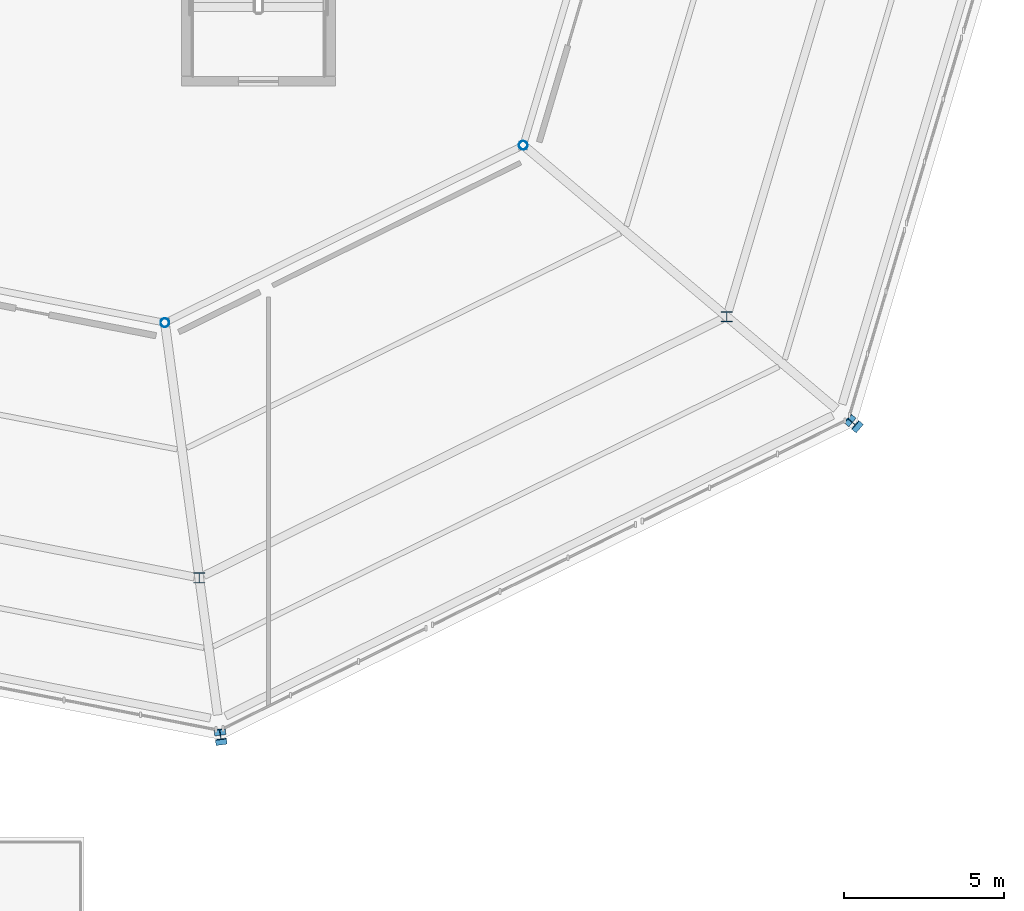
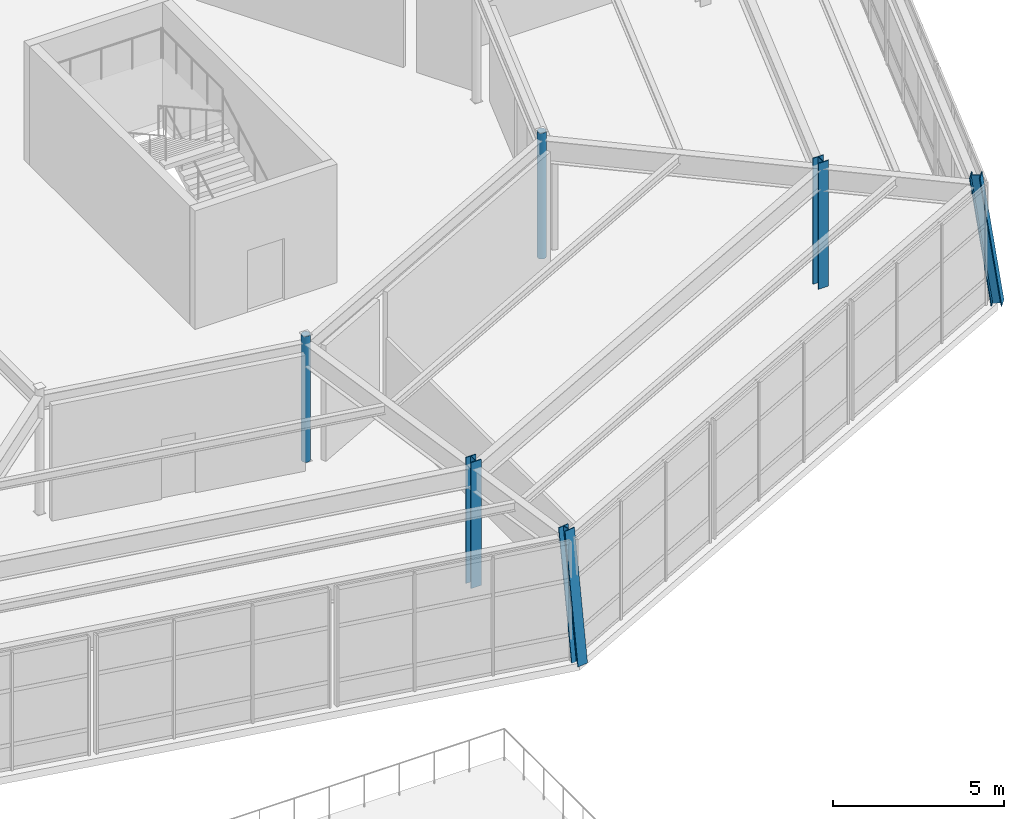
# One storey, part 15 of 69: 6 columns.
"""IFC4 building model written with IfcOpenShell, lengths in metres."""

from ifc_helpers import new_model, si_unit, direction, frame, origin, origin_2d, place, context, subcontext, project, spatial, hollow_circle, i_section, extrude, material, material_profile, profile_set, type_object, element, save


model = new_model("IFC4")

# Units and contexts
model_context = context("Model", 3, precision=1e-05, world=origin(), true_north=direction((0.0, 1.0)))
body_context = subcontext(model_context, "Body", "Model", "MODEL_VIEW")
ifc_project = project(units=[si_unit("LENGTHUNIT", "METRE"), si_unit("AREAUNIT", "SQUARE_METRE"), si_unit("VOLUMEUNIT", "CUBIC_METRE"), si_unit("PLANEANGLEUNIT", "RADIAN"), si_unit("MASSUNIT", "GRAM", prefix="KILO")], contexts=[model_context])

# Site, building, storey
site_placement = place(None, origin())
site = spatial("IfcSite", under=ifc_project, at=site_placement, CompositionType="ELEMENT")
building_placement = place(site_placement, origin())
building = spatial("IfcBuilding", under=site, at=building_placement, Name="Sarnbrook Museum", CompositionType="ELEMENT")
storey_placement = place(building_placement, frame((0.0, 0.0, 14.60009765625)))
storey = spatial("IfcBuildingStorey", under=building, at=storey_placement, Name="L03", CompositionType="ELEMENT", Elevation=14.60009765625)

# Columns
ifc_material_1 = material(Name="Structural Steel Hollow Section Grade C350L0 (AS/NZS 1163, fy = 350 MPa)", Category="steel")
ifc_material_profile_1 = material_profile(ifc_material_1, hollow_circle(Radius=0.136474609375, WallThickness=0.00927734375, at=origin_2d()), Name="273.1x9.3CHS")
ifc_profile_set_1 = profile_set([ifc_material_profile_1], Name="Structural Steel Hollow Section Grade C350L0 (AS/NZS 1163, fy = 350 MPa)")
column_type_1 = type_object("IfcColumnType", Name="COL-CHS273", PredefinedType="COLUMN", material=ifc_profile_set_1)
for number, where, z_axis, x_axis, name in (
    (1, (140.88720703125, 72.828857421875, 0.0), (0.0, 0.0, 1.0), (1.0, 0.0, 0.0), "Crystal Gallery Feature Column R2-2 L03"),
    (2, (152.05029296875, 78.356201171875, 0.0), (0.0, 0.0, 1.0), (1.0, 0.0, 0.0), "Crystal Gallery Feature Column R2-3 L03"),
):
    element("IfcColumn", number, at=place(storey_placement, frame(where, z_axis=z_axis, x_axis=x_axis)), inside=storey, type_object=column_type_1, Name=name, PredefinedType="COLUMN", context=body_context, shape_type="SweptSolid", body=[
        extrude(hollow_circle(Radius=0.136474609375, WallThickness=0.00927734375, at=origin_2d()), origin(), (0.0, 0.0, 1.0), 4.5),
    ])
ifc_material_2 = material(Name="Structural Steel Grade 350L0 (AS/NZS 3678, fy = 340 MPa for 20 < t <= 40 mm)", Category="steel")
ifc_material_profile_2 = material_profile(ifc_material_2, i_section(OverallWidth=0.35009765625, OverallDepth=0.3310546875, WebThickness=0.02001953125, FlangeThickness=0.028076171875, at=origin_2d()), Name="350WC197")
ifc_profile_set_2 = profile_set([ifc_material_profile_2], Name="Structural Steel Grade 350L0 (AS/NZS 3678, fy = 340 MPa for 20 < t <= 40 mm)")
column_type_2 = type_object("IfcColumnType", Name="COL-WC350", PredefinedType="COLUMN", material=ifc_profile_set_2)
column_1_placement = place(storey_placement, frame((142.63330078125, 59.839599609375, 0.0), z_axis=(-0.018324293491, 0.136438067961, 0.990479113298), x_axis=(-0.99110130958, -0.133109707194, 0.0)))
element("IfcColumn", 3, at=column_1_placement, inside=storey, type_object=column_type_2, Name="Raking Crystal Rib Column V2 L03", PredefinedType="COLUMN", context=body_context, shape_type="SweptSolid", body=[
    extrude(i_section(OverallWidth=0.35009765625, OverallDepth=0.3310546875, WebThickness=0.02001953125, FlangeThickness=0.028076171875, at=origin_2d()), origin(), (0.0, 0.0, 1.0), 4.543212890625),
])
column_2_placement = place(storey_placement, frame((141.9560546875, 64.87744140625, 0.0), z_axis=(0.0, 0.0, 1.0), x_axis=(1.0, 0.0, 0.0)))
element("IfcColumn", 4, at=column_2_placement, inside=storey, type_object=column_type_2, Name="Crystal Hall Ring Column R1-2 L03", PredefinedType="COLUMN", context=body_context, shape_type="SweptSolid", body=[
    extrude(i_section(OverallWidth=0.35009765625, OverallDepth=0.3310546875, WebThickness=0.02001953125, FlangeThickness=0.028076171875, at=origin_2d()), origin(), (0.0, 0.0, 1.0), 4.5),
])
column_3_placement = place(storey_placement, frame((162.4111328125, 69.632568359375, 0.0), z_axis=(-0.108747461016, 0.091562677053, 0.989843556272), x_axis=(-0.644077580192, -0.764960175888, 0.0)))
element("IfcColumn", 5, at=column_3_placement, inside=storey, type_object=column_type_2, Name="Raking Crystal Rib Column V3 L03", PredefinedType="COLUMN", context=body_context, shape_type="SweptSolid", body=[
    extrude(i_section(OverallWidth=0.35009765625, OverallDepth=0.3310546875, WebThickness=0.02001953125, FlangeThickness=0.028076171875, at=origin_2d()), origin(), (0.0, 0.0, 1.0), 4.546142578125),
])
column_4_placement = place(storey_placement, frame((158.392822265625, 73.015869140625, 0.0), z_axis=(0.0, 0.0, 1.0), x_axis=(1.0, 0.0, 0.0)))
element("IfcColumn", 6, at=column_4_placement, inside=storey, type_object=column_type_2, Name="Crystal Hall Ring Column R1-3 L03", PredefinedType="COLUMN", context=body_context, shape_type="SweptSolid", body=[
    extrude(i_section(OverallWidth=0.35009765625, OverallDepth=0.3310546875, WebThickness=0.02001953125, FlangeThickness=0.028076171875, at=origin_2d()), origin(), (0.0, 0.0, 1.0), 4.5),
])

save(model, "model.ifc")
